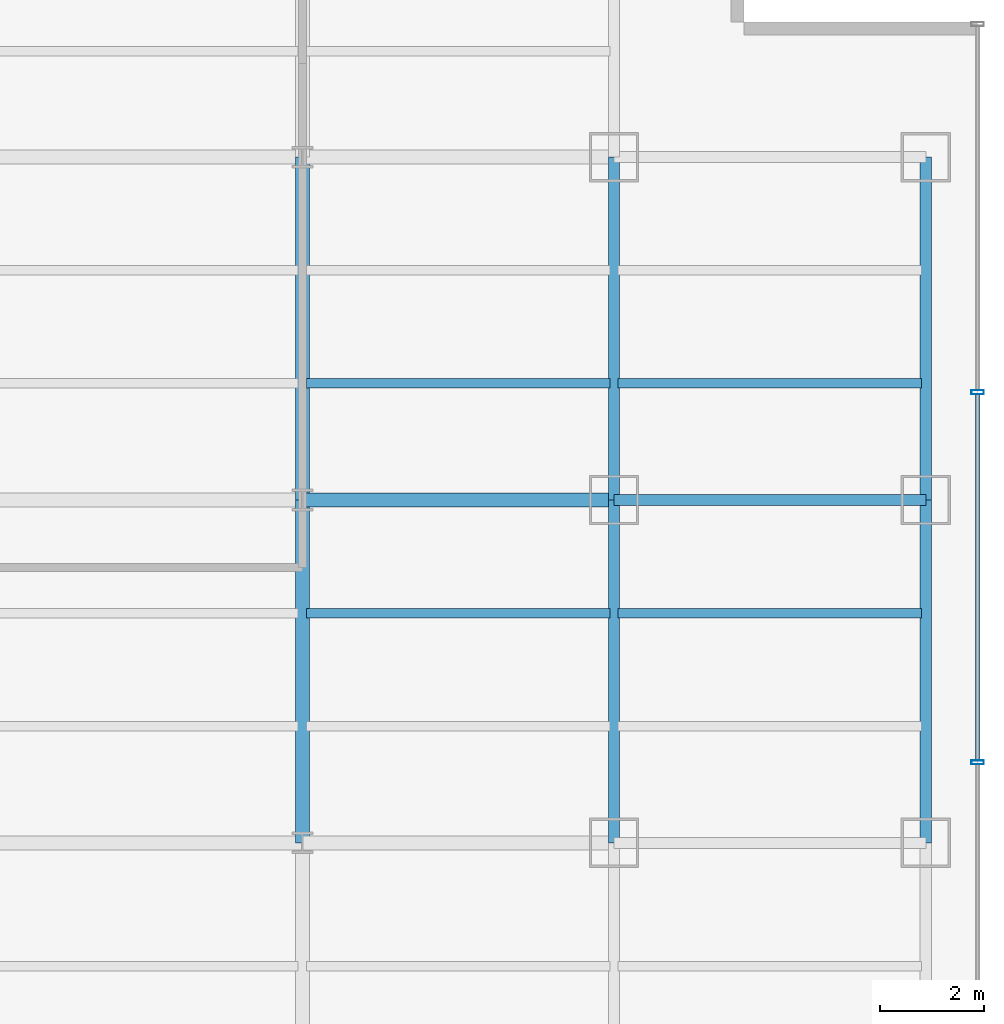
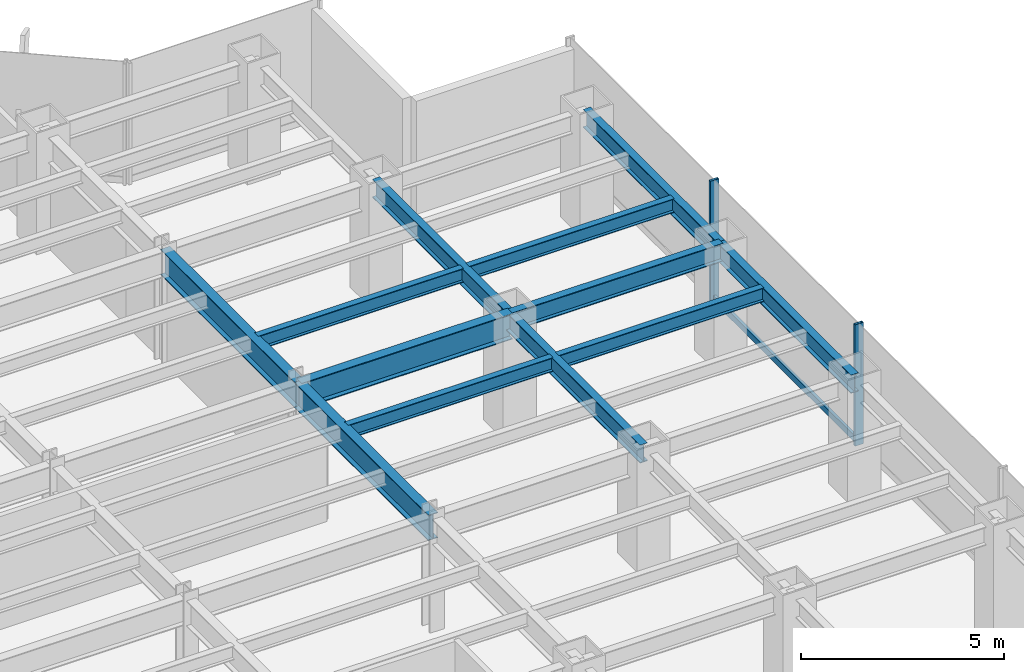
# One storey, part 9 of 22: 12 beams, 3 members, 1 element without a shape of its own.
"""IFC4 building model written with IfcOpenShell, lengths in metres."""

from ifc_helpers import new_model, si_unit, derived_unit, direction, frame, origin, origin_2d, place, context, subcontext, project, spatial, hollow_rectangle, i_section, extrude, source, transform, mapped, material, material_profile, profile_set, type_object, element, aggregate, save


model = new_model("IFC4")

# Units and contexts
model_context = context("Model", 3, precision=1e-05, world=origin(), true_north=direction((0.0, 1.0)))
body_context = subcontext(model_context, "Body", "Model", "MODEL_VIEW")
ifc_project = project(units=[si_unit("LENGTHUNIT", "METRE"), si_unit("AREAUNIT", "SQUARE_METRE"), si_unit("VOLUMEUNIT", "CUBIC_METRE"), si_unit("PLANEANGLEUNIT", "RADIAN"), si_unit("MASSUNIT", "GRAM", prefix="KILO"), derived_unit("THERMALTRANSMITTANCEUNIT", [(si_unit("POWERUNIT", "WATT"), 1), (si_unit("LENGTHUNIT", "METRE"), -2), (si_unit("THERMODYNAMICTEMPERATUREUNIT", "KELVIN"), -1)])], contexts=[model_context])

# Site, building, storey
site_placement = place(None, origin())
site = spatial("IfcSite", under=ifc_project, at=site_placement, CompositionType="ELEMENT")
building_placement = place(site_placement, origin())
building = spatial("IfcBuilding", under=site, at=building_placement, Name="Skarnbrae Concourse Arena and Tower", CompositionType="ELEMENT")
storey_placement = place(building_placement, frame((0.0, 0.0, 61.699951171875)))
storey = spatial("IfcBuildingStorey", under=building, at=storey_placement, Name="L14", CompositionType="ELEMENT", Elevation=61.699951171875)

# Beams
ifc_material_1 = material(Name="Steel CSA G40.21 350W", Category="steel")
ifc_material_profile_1 = material_profile(ifc_material_1, i_section(OverallWidth=0.214111328125, OverallDepth=0.549072265625, WebThickness=0.0146484375, FlangeThickness=0.023681640625, at=origin_2d()), Name="W530X138")
ifc_profile_set_1 = profile_set([ifc_material_profile_1], Name="Steel CSA G40.21 350W")
beam_type_1 = type_object("IfcBeamType", Name="BM-SPAN-W530X138", PredefinedType="SPANDREL", material=ifc_profile_set_1)
shared_shape_1 = source(origin(), body_context, "Body", "SweptSolid", [
    extrude(i_section(OverallWidth=0.214111328125, OverallDepth=0.549072265625, WebThickness=0.0146484375, FlangeThickness=0.023681640625, at=origin_2d()), origin(), (0.0, 0.0, 1.0), 6.0),
])
beam_1_placement = place(storey_placement, frame((55.0, 27.800048828125, 3.12548828125), z_axis=(1.0, 0.0, 0.0), x_axis=(0.0, 1.0, 0.0)))
element("IfcBeam", 1, at=beam_1_placement, inside=storey, type_object=beam_type_1, Name="L14 Perimeter spandrel Y27.8-9", PredefinedType="SPANDREL", context=body_context, shape_type="MappedRepresentation", body=[
    mapped(shared_shape_1, transform((0.0, 0.0, 0.0))),
])
ifc_material_profile_2 = material_profile(ifc_material_1, i_section(OverallWidth=0.26806640625, OverallDepth=0.77001953125, WebThickness=0.015625, FlangeThickness=0.025390625, at=origin_2d()), Name="W760X196")
ifc_profile_set_2 = profile_set([ifc_material_profile_2], Name="Steel CSA G40.21 350W")
beam_type_2 = type_object("IfcBeamType", Name="BM-GIRD-W760X196", PredefinedType="BEAM", material=ifc_profile_set_2)
shared_shape_2 = source(origin(), body_context, "Body", "SweptSolid", [
    extrude(i_section(OverallWidth=0.26806640625, OverallDepth=0.77001953125, WebThickness=0.015625, FlangeThickness=0.025390625, at=origin_2d()), origin(), (0.0, 0.0, 1.0), 6.60009765625),
])
beam_2_placement = place(storey_placement, frame((49.0, 21.199951171875, 3.01513671875), z_axis=(0.0, 1.0, 0.0), x_axis=(-1.0, 0.0, 0.0)))
element("IfcBeam", 2, at=beam_2_placement, inside=storey, type_object=beam_type_2, Name="L14 Primary N-S girder X49.0-3", PredefinedType="BEAM", context=body_context, shape_type="MappedRepresentation", body=[
    mapped(shared_shape_2, transform((0.0, 0.0, 0.0))),
])
shared_shape_3 = source(origin(), body_context, "Body", "SweptSolid", [
    extrude(i_section(OverallWidth=0.26806640625, OverallDepth=0.77001953125, WebThickness=0.015625, FlangeThickness=0.025390625, at=origin_2d()), origin(), (0.0, 0.0, 1.0), 6.0),
])
beam_3_placement = place(storey_placement, frame((49.0, 27.800048828125, 3.01513671875), z_axis=(1.0, 0.0, 0.0), x_axis=(0.0, 1.0, 0.0)))
element("IfcBeam", 3, at=beam_3_placement, inside=storey, type_object=beam_type_2, Name="L14 Primary E-W girder Y27.8-8", PredefinedType="BEAM", context=body_context, shape_type="MappedRepresentation", body=[
    mapped(shared_shape_3, transform((0.0, 0.0, 0.0))),
])
shared_shape_4 = source(origin(), body_context, "Body", "SweptSolid", [
    extrude(i_section(OverallWidth=0.214111328125, OverallDepth=0.549072265625, WebThickness=0.0146484375, FlangeThickness=0.023681640625, at=origin_2d()), origin(), (0.0, 0.0, 1.0), 6.60009765625),
])
for number, where, z_axis, x_axis, name in (
    (4, (55.0, 21.199951171875, 3.12548828125), (0.0, 1.0, 0.0), (-1.0, 0.0, 0.0), "L14 Perimeter spandrel X55.0-3"),
    (5, (61.0, 21.199951171875, 3.12548828125), (0.0, 1.0, 0.0), (-1.0, 0.0, 0.0), "L14 Perimeter spandrel X61.0-3"),
):
    element("IfcBeam", number, at=place(storey_placement, frame(where, z_axis=z_axis, x_axis=x_axis)), inside=storey, type_object=beam_type_1, Name=name, PredefinedType="SPANDREL", context=body_context, shape_type="MappedRepresentation", body=[
        mapped(shared_shape_4, transform((0.0, 0.0, 0.0))),
    ])
shared_shape_5 = source(origin(), body_context, "Body", "SweptSolid", [
    extrude(i_section(OverallWidth=0.214111328125, OverallDepth=0.549072265625, WebThickness=0.0146484375, FlangeThickness=0.023681640625, at=origin_2d()), origin(), (0.0, 0.0, 1.0), 6.599853515625),
])
for number, where, z_axis, x_axis, name in (
    (6, (55.0, 27.800048828125, 3.12548828125), (0.0, 1.0, 0.0), (-1.0, 0.0, 0.0), "L14 Perimeter spandrel X55.0-4"),
    (7, (61.0, 27.800048828125, 3.12548828125), (0.0, 1.0, 0.0), (-1.0, 0.0, 0.0), "L14 Perimeter spandrel X61.0-4"),
):
    element("IfcBeam", number, at=place(storey_placement, frame(where, z_axis=z_axis, x_axis=x_axis)), inside=storey, type_object=beam_type_1, Name=name, PredefinedType="SPANDREL", context=body_context, shape_type="MappedRepresentation", body=[
        mapped(shared_shape_5, transform((0.0, 0.0, 0.0))),
    ])
shared_shape_6 = source(origin(), body_context, "Body", "SweptSolid", [
    extrude(i_section(OverallWidth=0.26806640625, OverallDepth=0.77001953125, WebThickness=0.015625, FlangeThickness=0.025390625, at=origin_2d()), origin(), (0.0, 0.0, 1.0), 6.599853515625),
])
beam_4_placement = place(storey_placement, frame((49.0, 27.800048828125, 3.01513671875), z_axis=(0.0, 1.0, 0.0), x_axis=(-1.0, 0.0, 0.0)))
element("IfcBeam", 8, at=beam_4_placement, inside=storey, type_object=beam_type_2, Name="L14 Primary N-S girder X49.0-4", PredefinedType="BEAM", context=body_context, shape_type="MappedRepresentation", body=[
    mapped(shared_shape_6, transform((0.0, 0.0, 0.0))),
])
ifc_material_profile_3 = material_profile(ifc_material_1, i_section(OverallWidth=0.180908203125, OverallDepth=0.4169921875, WebThickness=0.010986328125, FlangeThickness=0.018310546875, at=origin_2d()), Name="W410X85")
ifc_profile_set_3 = profile_set([ifc_material_profile_3], Name="Steel CSA G40.21 350W")
beam_type_3 = type_object("IfcBeamType", Name="BM-JOIST-W410X85", PredefinedType="JOIST", material=ifc_profile_set_3)
shared_shape_7 = source(origin(), body_context, "Body", "SweptSolid", [
    extrude(i_section(OverallWidth=0.180908203125, OverallDepth=0.4169921875, WebThickness=0.010986328125, FlangeThickness=0.018310546875, at=origin_2d()), origin(), (0.0, 0.0, 1.0), 5.83984375),
])
for number, where, z_axis, x_axis, name in (
    (9, (49.080078125, 25.6220703125, 3.191650390625), (1.0, 0.0, 0.0), (0.0, 1.0, 0.0), "L14 Secondary floor joist 2.2.8"),
    (10, (55.080078125, 25.6220703125, 3.191650390625), (1.0, 0.0, 0.0), (0.0, 1.0, 0.0), "L14 Secondary floor joist 2.2.9"),
    (11, (49.080078125, 30.0439453125, 3.191650390625), (1.0, 0.0, 0.0), (0.0, 1.0, 0.0), "L14 Secondary floor joist 3.1.8"),
    (12, (55.080078125, 30.0439453125, 3.191650390625), (1.0, 0.0, 0.0), (0.0, 1.0, 0.0), "L14 Secondary floor joist 3.1.9"),
):
    element("IfcBeam", number, at=place(storey_placement, frame(where, z_axis=z_axis, x_axis=x_axis)), inside=storey, type_object=beam_type_3, Name=name, PredefinedType="JOIST", context=body_context, shape_type="MappedRepresentation", body=[
        mapped(shared_shape_7, transform((0.0, 0.0, 0.0))),
    ])

# Curtain wall, members
ifc_material_2 = material(Name="Bronze anodised aluminium 6063-T6", Category="aluminium")
curtain_wall_type = type_object("IfcCurtainWallType", Name="CW-SYS-02-LOWZONE", PredefinedType="USERDEFINED", material=ifc_material_2)
curtain_wall_placement = place(storey_placement, origin())
curtain_wall = element("IfcCurtainWall", 13, at=curtain_wall_placement, inside=storey, type_object=curtain_wall_type, Name="L14 Unitised curtain wall CW-L14-E04", ObjectType="UNITISED CURTAIN WALL", PredefinedType="USERDEFINED")
ifc_material_profile_4 = material_profile(ifc_material_2, hollow_rectangle(XDim=0.080078125, YDim=0.18994140625, WallThickness=0.0048828125, at=origin_2d()), Name="ALU-TRAN-80X190")
ifc_profile_set_4 = profile_set([ifc_material_profile_4], Name="Bronze anodised aluminium 6063-T6")
member_type_1 = type_object("IfcMemberType", Name="CWT-CW-02", PredefinedType="USERDEFINED", material=ifc_profile_set_4)
shared_shape_8 = source(origin(), body_context, "Body", "SweptSolid", [
    extrude(hollow_rectangle(XDim=0.080078125, YDim=0.18994140625, WallThickness=0.0048828125, at=origin_2d()), origin(), (0.0, 0.0, 1.0), 7.044921875),
])
member_1_placement = place(storey_placement, frame((62.0, 22.7900390625, 0.094970703125), z_axis=(0.0, 1.0, 0.0), x_axis=(-1.0, 0.0, 0.0)))
member_1 = element("IfcMember", 14, at=member_1_placement, type_object=member_type_1, Name="CW-L14-E04 Transom 3", ObjectType="TRANSOM", PredefinedType="USERDEFINED", context=body_context, shape_type="MappedRepresentation", body=[
    mapped(shared_shape_8, transform((0.0, 0.0, 0.0))),
])
ifc_material_profile_5 = material_profile(ifc_material_2, hollow_rectangle(XDim=0.080078125, YDim=0.239990234375, WallThickness=0.0048828125, at=origin_2d()), Name="ALU-MULL-80X240")
ifc_profile_set_5 = profile_set([ifc_material_profile_5], Name="Bronze anodised aluminium 6063-T6")
member_type_2 = type_object("IfcMemberType", Name="CWM-CW-02", PredefinedType="MULLION", material=ifc_profile_set_5)
shared_shape_9 = source(origin(), body_context, "Body", "SweptSolid", [
    extrude(hollow_rectangle(XDim=0.080078125, YDim=0.239990234375, WallThickness=0.0048828125, at=origin_2d()), origin(), (0.0, 0.0, 1.0), 3.650146484375),
])
member_2_placement = place(storey_placement, frame((62.0, 22.75, 0.0), z_axis=(0.0, 0.0, 1.0), x_axis=(0.0, 1.0, 0.0)))
member_2 = element("IfcMember", 15, at=member_2_placement, type_object=member_type_2, Name="CW-L14-E04 Mullion 3", PredefinedType="MULLION", context=body_context, shape_type="MappedRepresentation", body=[
    mapped(shared_shape_9, transform((0.0, 0.0, 0.0))),
])
member_3_placement = place(storey_placement, frame((62.0, 29.875, 0.0), z_axis=(0.0, 0.0, 1.0), x_axis=(0.0, 1.0, 0.0)))
member_3 = element("IfcMember", 16, at=member_3_placement, type_object=member_type_2, Name="CW-L14-E04 Mullion 4", PredefinedType="MULLION", context=body_context, shape_type="MappedRepresentation", body=[
    mapped(shared_shape_9, transform((0.0, 0.0, 0.0))),
])
aggregate(curtain_wall, [member_2, member_3, member_1])

save(model, "model.ifc")
